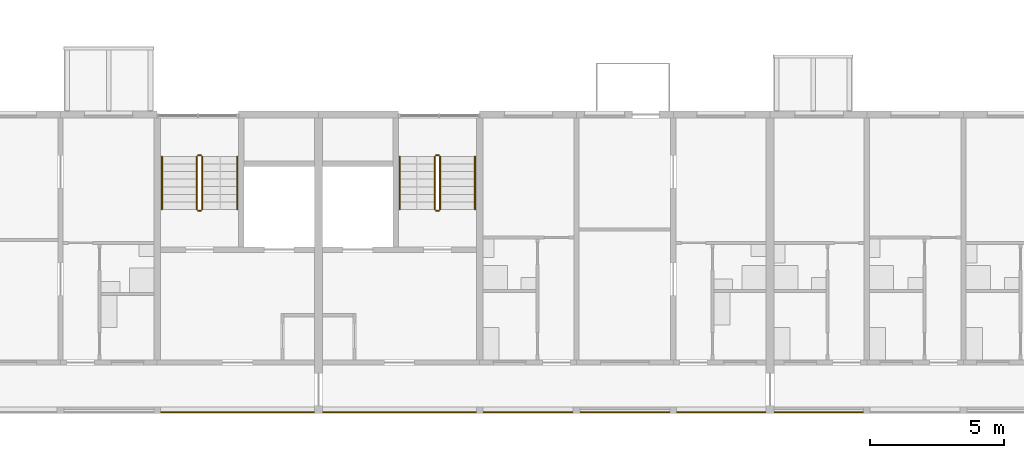
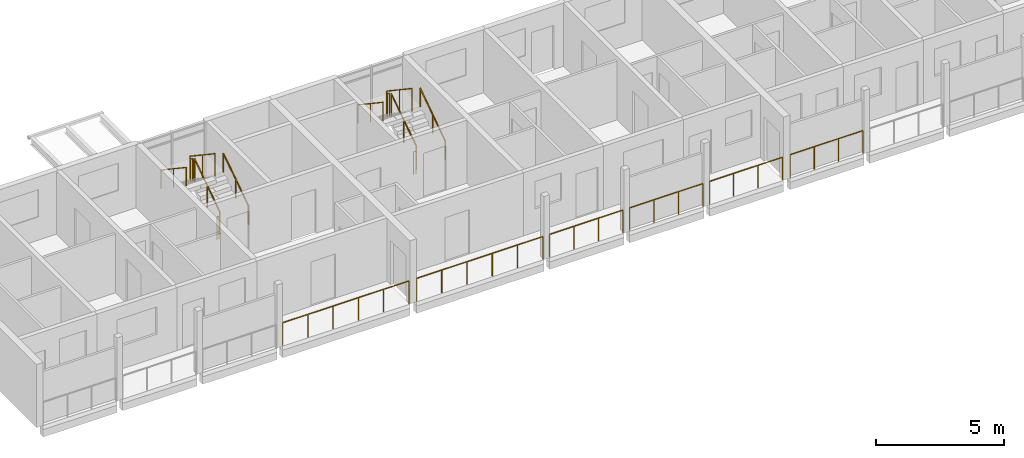
# One storey, part 83 of 94: 18 railings.
"""IFC4 building model written with IfcOpenShell, lengths in metres."""

from ifc_helpers import new_model, si_unit, direction, frame, origin, origin_2d, place, context, subcontext, project, spatial, circle, extrude, material, type_object, element, save


model = new_model("IFC4")

# Units and contexts
model_context = context("Model", 3, precision=1e-05, world=origin(), true_north=direction((0.0, 1.0)))
body_context = subcontext(model_context, "Body", "Model", "MODEL_VIEW")
ifc_project = project(units=[si_unit("LENGTHUNIT", "METRE"), si_unit("AREAUNIT", "SQUARE_METRE"), si_unit("VOLUMEUNIT", "CUBIC_METRE"), si_unit("PLANEANGLEUNIT", "RADIAN"), si_unit("MASSUNIT", "GRAM", prefix="KILO")], contexts=[model_context])

# Site, building, storey
site_placement = place(None, origin())
site = spatial("IfcSite", under=ifc_project, at=site_placement, CompositionType="ELEMENT")
building_placement = place(site_placement, origin())
building = spatial("IfcBuilding", under=site, at=building_placement, Name="Ridgestep Commons", CompositionType="ELEMENT")
storey_placement = place(building_placement, frame((0.0, 0.0, 24.0)))
storey = spatial("IfcBuildingStorey", under=building, at=storey_placement, Name="L08", CompositionType="ELEMENT", Elevation=24.0)

# Railings
ifc_material_1 = material(Name="Structural steel S355JR", Category="steel")
railing_type_1 = type_object("IfcRailingType", Name="Guard 1100", PredefinedType="GUARDRAIL", material=ifc_material_1)
railing_1_placement = place(storey_placement, frame((157.74609375, 11.800048828125, 0.0)))
element("IfcRailing", 1, at=railing_1_placement, inside=storey, type_object=railing_type_1, Name="Gallery guard D 08.4", PredefinedType="GUARDRAIL", context=body_context, shape_type="SweptSolid", body=[
    extrude(circle(Radius=0.02392578125, at=origin_2d()), frame((0.0, 0.0, 1.076171875), z_axis=(1.0, 0.0, 0.0), x_axis=(0.0, 1.0, 0.0)), (0.0, 0.0, 1.0), 5.682861328125),
    extrude(circle(Radius=0.02099609375, at=origin_2d()), origin(), (0.0, 0.0, 1.0), 1.052001953125),
    extrude(circle(Radius=0.02099609375, at=origin_2d()), frame((1.136474609375, 0.0, 0.0)), (0.0, 0.0, 1.0), 1.052001953125),
    extrude(circle(Radius=0.02099609375, at=origin_2d()), frame((2.273193359375, 0.0, 0.0)), (0.0, 0.0, 1.0), 1.052001953125),
    extrude(circle(Radius=0.02099609375, at=origin_2d()), frame((3.40966796875, 0.0, 0.0)), (0.0, 0.0, 1.0), 1.052001953125),
    extrude(circle(Radius=0.02099609375, at=origin_2d()), frame((4.54638671875, 0.0, 0.0)), (0.0, 0.0, 1.0), 1.052001953125),
    extrude(circle(Radius=0.02099609375, at=origin_2d()), frame((5.682861328125, 0.0, 0.0)), (0.0, 0.0, 1.0), 1.052001953125),
])
railing_2_placement = place(storey_placement, frame((163.77099609375, 11.800048828125, 0.0)))
element("IfcRailing", 2, at=railing_2_placement, inside=storey, type_object=railing_type_1, Name="Gallery guard D 08.5", PredefinedType="GUARDRAIL", context=body_context, shape_type="SweptSolid", body=[
    extrude(circle(Radius=0.02392578125, at=origin_2d()), frame((0.0, 0.0, 1.076171875), z_axis=(1.0, 0.0, 0.0), x_axis=(0.0, 1.0, 0.0)), (0.0, 0.0, 1.0), 5.68310546875),
    extrude(circle(Radius=0.02099609375, at=origin_2d()), origin(), (0.0, 0.0, 1.0), 1.052001953125),
    extrude(circle(Radius=0.02099609375, at=origin_2d()), frame((1.13671875, 0.0, 0.0)), (0.0, 0.0, 1.0), 1.052001953125),
    extrude(circle(Radius=0.02099609375, at=origin_2d()), frame((2.273193359375, 0.0, 0.0)), (0.0, 0.0, 1.0), 1.052001953125),
    extrude(circle(Radius=0.02099609375, at=origin_2d()), frame((3.409912109375, 0.0, 0.0)), (0.0, 0.0, 1.0), 1.052001953125),
    extrude(circle(Radius=0.02099609375, at=origin_2d()), frame((4.54638671875, 0.0, 0.0)), (0.0, 0.0, 1.0), 1.052001953125),
    extrude(circle(Radius=0.02099609375, at=origin_2d()), frame((5.68310546875, 0.0, 0.0)), (0.0, 0.0, 1.0), 1.052001953125),
])
railing_3_placement = place(storey_placement, frame((169.74609375, 11.800048828125, 0.0)))
element("IfcRailing", 3, at=railing_3_placement, inside=storey, type_object=railing_type_1, Name="Gallery guard D 08.6", PredefinedType="GUARDRAIL", context=body_context, shape_type="SweptSolid", body=[
    extrude(circle(Radius=0.02392578125, at=origin_2d()), frame((0.0, 0.0, 1.076171875), z_axis=(1.0, 0.0, 0.0), x_axis=(0.0, 1.0, 0.0)), (0.0, 0.0, 1.0), 3.307861328125),
    extrude(circle(Radius=0.02099609375, at=origin_2d()), origin(), (0.0, 0.0, 1.0), 1.052001953125),
    extrude(circle(Radius=0.02099609375, at=origin_2d()), frame((1.1025390625, 0.0, 0.0)), (0.0, 0.0, 1.0), 1.052001953125),
    extrude(circle(Radius=0.02099609375, at=origin_2d()), frame((2.205322265625, 0.0, 0.0)), (0.0, 0.0, 1.0), 1.052001953125),
    extrude(circle(Radius=0.02099609375, at=origin_2d()), frame((3.307861328125, 0.0, 0.0)), (0.0, 0.0, 1.0), 1.052001953125),
])
railing_4_placement = place(storey_placement, frame((173.345947265625, 11.800048828125, 0.0)))
element("IfcRailing", 4, at=railing_4_placement, inside=storey, type_object=railing_type_1, Name="Gallery guard D 08.7", PredefinedType="GUARDRAIL", context=body_context, shape_type="SweptSolid", body=[
    extrude(circle(Radius=0.02392578125, at=origin_2d()), frame((0.0, 0.0, 1.076171875), z_axis=(1.0, 0.0, 0.0), x_axis=(0.0, 1.0, 0.0)), (0.0, 0.0, 1.0), 3.30810546875),
    extrude(circle(Radius=0.02099609375, at=origin_2d()), origin(), (0.0, 0.0, 1.0), 1.052001953125),
    extrude(circle(Radius=0.02099609375, at=origin_2d()), frame((1.102783203125, 0.0, 0.0)), (0.0, 0.0, 1.0), 1.052001953125),
    extrude(circle(Radius=0.02099609375, at=origin_2d()), frame((2.205322265625, 0.0, 0.0)), (0.0, 0.0, 1.0), 1.052001953125),
    extrude(circle(Radius=0.02099609375, at=origin_2d()), frame((3.30810546875, 0.0, 0.0)), (0.0, 0.0, 1.0), 1.052001953125),
])
for number, where, name in (
    (5, (176.946044921875, 11.800048828125, 0.0), "Gallery guard D 08.8"),
    (6, (180.571044921875, 11.800048828125, 0.0), "Gallery guard D 08.9"),
):
    element("IfcRailing", number, at=place(storey_placement, frame(where)), inside=storey, type_object=railing_type_1, Name=name, PredefinedType="GUARDRAIL", context=body_context, shape_type="SweptSolid", body=[
        extrude(circle(Radius=0.02392578125, at=origin_2d()), frame((0.0, 0.0, 1.076171875), z_axis=(1.0, 0.0, 0.0), x_axis=(0.0, 1.0, 0.0)), (0.0, 0.0, 1.0), 3.282958984375),
        extrude(circle(Radius=0.02099609375, at=origin_2d()), origin(), (0.0, 0.0, 1.0), 1.052001953125),
        extrude(circle(Radius=0.02099609375, at=origin_2d()), frame((1.09423828125, 0.0, 0.0)), (0.0, 0.0, 1.0), 1.052001953125),
        extrude(circle(Radius=0.02099609375, at=origin_2d()), frame((2.188720703125, 0.0, 0.0)), (0.0, 0.0, 1.0), 1.052001953125),
        extrude(circle(Radius=0.02099609375, at=origin_2d()), frame((3.282958984375, 0.0, 0.0)), (0.0, 0.0, 1.0), 1.052001953125),
    ])
ifc_material_2 = material(Name="Structural steel S355JR", Category="steel")
railing_type_2 = type_object("IfcRailingType", Name="Stair guard 1100", PredefinedType="GUARDRAIL", material=ifc_material_2)
railing_5_placement = place(storey_placement, frame((159.27490234375, 19.35009765625, 0.1875)))
element("IfcRailing", 7, at=railing_5_placement, inside=storey, type_object=railing_type_2, Name="L08 D1C stair guard 1", PredefinedType="GUARDRAIL", context=body_context, shape_type="SweptSolid", body=[
    extrude(circle(Radius=0.02392578125, at=origin_2d()), frame((0.0, 0.0, 1.076171875), z_axis=(0.0, 0.830902050051, 0.556418712142), x_axis=(-1.0, 0.0, 0.0)), (0.0, 0.0, 1.0), 2.35888671875),
    extrude(circle(Radius=0.02099609375, at=origin_2d()), origin(), (0.0, 0.0, 1.0), 1.052001953125),
    extrude(circle(Radius=0.02099609375, at=origin_2d()), frame((0.0, 0.97998046875, 0.65625)), (0.0, 0.0, 1.0), 1.052001953125),
    extrude(circle(Radius=0.02099609375, at=origin_2d()), frame((0.0, 1.9599609375, 1.3125)), (0.0, 0.0, 1.0), 1.052001953125),
])
railing_6_placement = place(storey_placement, frame((159.22509765625, 21.360107421875, 1.5)))
element("IfcRailing", 8, at=railing_6_placement, inside=storey, type_object=railing_type_2, Name="L08 D1C stair guard 2", PredefinedType="GUARDRAIL", context=body_context, shape_type="SweptSolid", body=[
    extrude(circle(Radius=0.02392578125, at=origin_2d()), frame((0.0, 0.0, 1.076171875), z_axis=(-1.0, 0.0, 0.0), x_axis=(0.0, -1.0, 0.0)), (0.0, 0.0, 1.0), 0.10009765625),
    extrude(circle(Radius=0.02099609375, at=origin_2d()), origin(), (0.0, 0.0, 1.0), 1.052001953125),
    extrude(circle(Radius=0.02099609375, at=origin_2d()), frame((-0.10009765625, 0.0, 0.0)), (0.0, 0.0, 1.0), 1.052001953125),
])
railing_7_placement = place(storey_placement, frame((159.074951171875, 21.31005859375, 1.6875)))
element("IfcRailing", 9, at=railing_7_placement, inside=storey, type_object=railing_type_2, Name="L08 D1C stair guard 3", PredefinedType="GUARDRAIL", context=body_context, shape_type="SweptSolid", body=[
    extrude(circle(Radius=0.02392578125, at=origin_2d()), frame((0.0, 0.0, 1.076171875), z_axis=(0.0, -0.830902050051, 0.556418712142), x_axis=(1.0, 0.0, 0.0)), (0.0, 0.0, 1.0), 2.35888671875),
    extrude(circle(Radius=0.02099609375, at=origin_2d()), origin(), (0.0, 0.0, 1.0), 1.052001953125),
    extrude(circle(Radius=0.02099609375, at=origin_2d()), frame((0.0, -0.97998046875, 0.65625)), (0.0, 0.0, 1.0), 1.052001953125),
    extrude(circle(Radius=0.02099609375, at=origin_2d()), frame((0.0, -1.9599609375, 1.3125)), (0.0, 0.0, 1.0), 1.052001953125),
])
railing_8_placement = place(storey_placement, frame((159.22509765625, 19.300048828125, 0.0)))
element("IfcRailing", 10, at=railing_8_placement, inside=storey, type_object=railing_type_2, Name="L08 D1C stair guard 4", PredefinedType="GUARDRAIL", context=body_context, shape_type="SweptSolid", body=[
    extrude(circle(Radius=0.02392578125, at=origin_2d()), frame((0.0, 0.0, 1.076171875), z_axis=(-1.0, 0.0, 0.0), x_axis=(0.0, -1.0, 0.0)), (0.0, 0.0, 1.0), 0.10009765625),
    extrude(circle(Radius=0.02099609375, at=origin_2d()), origin(), (0.0, 0.0, 1.0), 1.052001953125),
    extrude(circle(Radius=0.02099609375, at=origin_2d()), frame((-0.10009765625, 0.0, 0.0)), (0.0, 0.0, 1.0), 1.052001953125),
])
railing_9_placement = place(storey_placement, frame((168.125, 19.35009765625, 0.1875)))
element("IfcRailing", 11, at=railing_9_placement, inside=storey, type_object=railing_type_2, Name="L08 D2C stair guard 1", PredefinedType="GUARDRAIL", context=body_context, shape_type="SweptSolid", body=[
    extrude(circle(Radius=0.02392578125, at=origin_2d()), frame((0.0, 0.0, 1.076171875), z_axis=(0.0, 0.830902050051, 0.556418712142), x_axis=(-1.0, 0.0, 0.0)), (0.0, 0.0, 1.0), 2.35888671875),
    extrude(circle(Radius=0.02099609375, at=origin_2d()), origin(), (0.0, 0.0, 1.0), 1.052001953125),
    extrude(circle(Radius=0.02099609375, at=origin_2d()), frame((0.0, 0.97998046875, 0.65625)), (0.0, 0.0, 1.0), 1.052001953125),
    extrude(circle(Radius=0.02099609375, at=origin_2d()), frame((0.0, 1.9599609375, 1.3125)), (0.0, 0.0, 1.0), 1.052001953125),
])
railing_10_placement = place(storey_placement, frame((168.074951171875, 21.360107421875, 1.5)))
element("IfcRailing", 12, at=railing_10_placement, inside=storey, type_object=railing_type_2, Name="L08 D2C stair guard 2", PredefinedType="GUARDRAIL", context=body_context, shape_type="SweptSolid", body=[
    extrude(circle(Radius=0.02392578125, at=origin_2d()), frame((0.0, 0.0, 1.076171875), z_axis=(-1.0, 0.0, 0.0), x_axis=(0.0, -1.0, 0.0)), (0.0, 0.0, 1.0), 0.099853515625),
    extrude(circle(Radius=0.02099609375, at=origin_2d()), origin(), (0.0, 0.0, 1.0), 1.052001953125),
    extrude(circle(Radius=0.02099609375, at=origin_2d()), frame((-0.099853515625, 0.0, 0.0)), (0.0, 0.0, 1.0), 1.052001953125),
])
railing_11_placement = place(storey_placement, frame((167.925048828125, 21.31005859375, 1.6875)))
element("IfcRailing", 13, at=railing_11_placement, inside=storey, type_object=railing_type_2, Name="L08 D2C stair guard 3", PredefinedType="GUARDRAIL", context=body_context, shape_type="SweptSolid", body=[
    extrude(circle(Radius=0.02392578125, at=origin_2d()), frame((0.0, 0.0, 1.076171875), z_axis=(0.0, -0.830902050051, 0.556418712142), x_axis=(1.0, 0.0, 0.0)), (0.0, 0.0, 1.0), 2.35888671875),
    extrude(circle(Radius=0.02099609375, at=origin_2d()), origin(), (0.0, 0.0, 1.0), 1.052001953125),
    extrude(circle(Radius=0.02099609375, at=origin_2d()), frame((0.0, -0.97998046875, 0.65625)), (0.0, 0.0, 1.0), 1.052001953125),
    extrude(circle(Radius=0.02099609375, at=origin_2d()), frame((0.0, -1.9599609375, 1.3125)), (0.0, 0.0, 1.0), 1.052001953125),
])
railing_12_placement = place(storey_placement, frame((168.074951171875, 19.300048828125, 0.0)))
element("IfcRailing", 14, at=railing_12_placement, inside=storey, type_object=railing_type_2, Name="L08 D2C stair guard 4", PredefinedType="GUARDRAIL", context=body_context, shape_type="SweptSolid", body=[
    extrude(circle(Radius=0.02392578125, at=origin_2d()), frame((0.0, 0.0, 1.076171875), z_axis=(-1.0, 0.0, 0.0), x_axis=(0.0, -1.0, 0.0)), (0.0, 0.0, 1.0), 0.099853515625),
    extrude(circle(Radius=0.02099609375, at=origin_2d()), origin(), (0.0, 0.0, 1.0), 1.052001953125),
    extrude(circle(Radius=0.02099609375, at=origin_2d()), frame((-0.099853515625, 0.0, 0.0)), (0.0, 0.0, 1.0), 1.052001953125),
])
ifc_material_3 = material(Name="Structural steel S355JR", Category="steel")
railing_type_3 = type_object("IfcRailingType", Name="Stair handrail 900", PredefinedType="HANDRAIL", material=ifc_material_3)
railing_13_placement = place(storey_placement, frame((160.574951171875, 19.35009765625, 0.1875)))
element("IfcRailing", 15, at=railing_13_placement, inside=storey, type_object=railing_type_3, Name="L08 D1C stair handrail 1", PredefinedType="HANDRAIL", context=body_context, shape_type="SweptSolid", body=[
    extrude(circle(Radius=0.02392578125, at=origin_2d()), frame((0.0, 0.0, 0.8759765625), z_axis=(0.0, 0.830902050051, 0.556418712142), x_axis=(-1.0, 0.0, 0.0)), (0.0, 0.0, 1.0), 2.35888671875),
    extrude(circle(Radius=0.02099609375, at=origin_2d()), origin(), (0.0, 0.0, 1.0), 0.851806640625),
    extrude(circle(Radius=0.02099609375, at=origin_2d()), frame((0.0, 0.97998046875, 0.65625)), (0.0, 0.0, 1.0), 0.851806640625),
    extrude(circle(Radius=0.02099609375, at=origin_2d()), frame((0.0, 1.9599609375, 1.3125)), (0.0, 0.0, 1.0), 0.851806640625),
])
railing_14_placement = place(storey_placement, frame((157.77490234375, 21.31005859375, 1.6875)))
element("IfcRailing", 16, at=railing_14_placement, inside=storey, type_object=railing_type_3, Name="L08 D1C stair handrail 2", PredefinedType="HANDRAIL", context=body_context, shape_type="SweptSolid", body=[
    extrude(circle(Radius=0.02392578125, at=origin_2d()), frame((0.0, 0.0, 0.8759765625), z_axis=(0.0, -0.830902050051, 0.556418712142), x_axis=(1.0, 0.0, 0.0)), (0.0, 0.0, 1.0), 2.35888671875),
    extrude(circle(Radius=0.02099609375, at=origin_2d()), origin(), (0.0, 0.0, 1.0), 0.851806640625),
    extrude(circle(Radius=0.02099609375, at=origin_2d()), frame((0.0, -0.97998046875, 0.65625)), (0.0, 0.0, 1.0), 0.851806640625),
    extrude(circle(Radius=0.02099609375, at=origin_2d()), frame((0.0, -1.9599609375, 1.3125)), (0.0, 0.0, 1.0), 0.851806640625),
])
railing_15_placement = place(storey_placement, frame((169.425048828125, 19.35009765625, 0.1875)))
element("IfcRailing", 17, at=railing_15_placement, inside=storey, type_object=railing_type_3, Name="L08 D2C stair handrail 1", PredefinedType="HANDRAIL", context=body_context, shape_type="SweptSolid", body=[
    extrude(circle(Radius=0.02392578125, at=origin_2d()), frame((0.0, 0.0, 0.8759765625), z_axis=(0.0, 0.830902050051, 0.556418712142), x_axis=(-1.0, 0.0, 0.0)), (0.0, 0.0, 1.0), 2.35888671875),
    extrude(circle(Radius=0.02099609375, at=origin_2d()), origin(), (0.0, 0.0, 1.0), 0.851806640625),
    extrude(circle(Radius=0.02099609375, at=origin_2d()), frame((0.0, 0.97998046875, 0.65625)), (0.0, 0.0, 1.0), 0.851806640625),
    extrude(circle(Radius=0.02099609375, at=origin_2d()), frame((0.0, 1.9599609375, 1.3125)), (0.0, 0.0, 1.0), 0.851806640625),
])
railing_16_placement = place(storey_placement, frame((166.625, 21.31005859375, 1.6875)))
element("IfcRailing", 18, at=railing_16_placement, inside=storey, type_object=railing_type_3, Name="L08 D2C stair handrail 2", PredefinedType="HANDRAIL", context=body_context, shape_type="SweptSolid", body=[
    extrude(circle(Radius=0.02392578125, at=origin_2d()), frame((0.0, 0.0, 0.8759765625), z_axis=(0.0, -0.830902050051, 0.556418712142), x_axis=(1.0, 0.0, 0.0)), (0.0, 0.0, 1.0), 2.35888671875),
    extrude(circle(Radius=0.02099609375, at=origin_2d()), origin(), (0.0, 0.0, 1.0), 0.851806640625),
    extrude(circle(Radius=0.02099609375, at=origin_2d()), frame((0.0, -0.97998046875, 0.65625)), (0.0, 0.0, 1.0), 0.851806640625),
    extrude(circle(Radius=0.02099609375, at=origin_2d()), frame((0.0, -1.9599609375, 1.3125)), (0.0, 0.0, 1.0), 0.851806640625),
])

save(model, "model.ifc")
